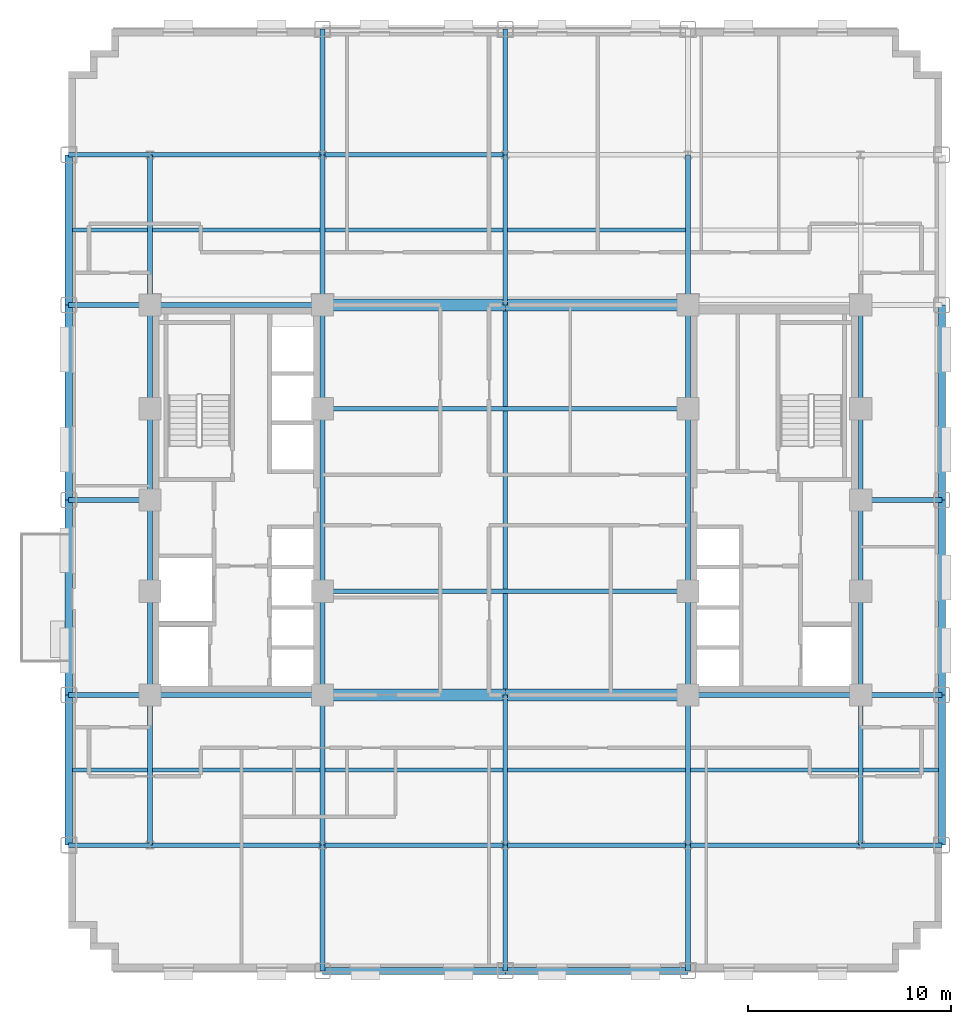
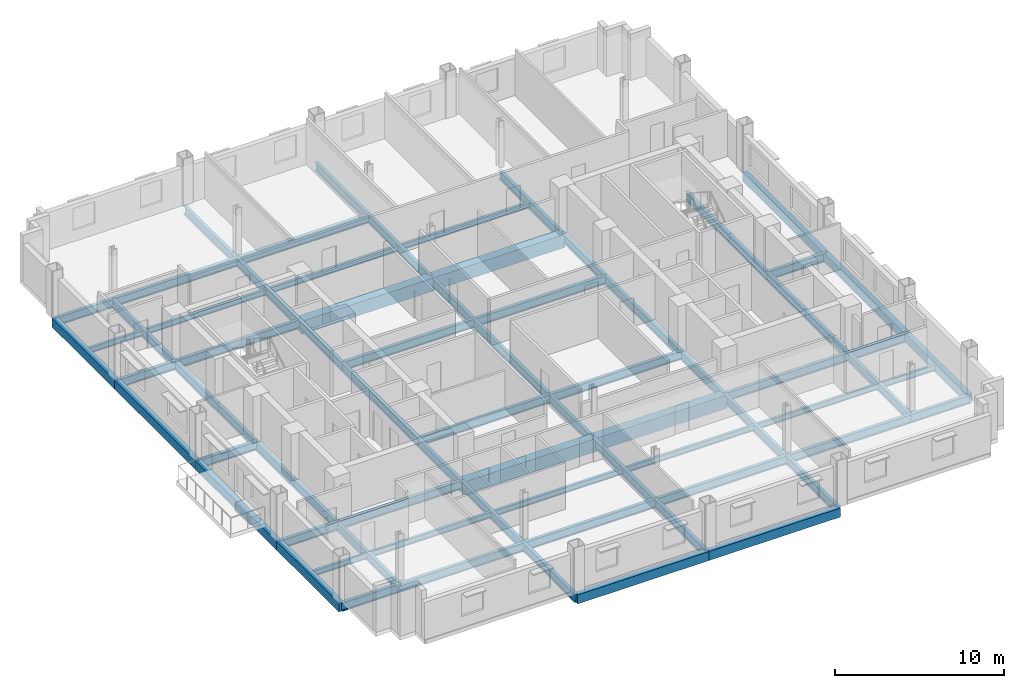
# One storey, part 4 of 13: 71 beams.
"""IFC4 building model written with IfcOpenShell, lengths in metres."""

from ifc_helpers import new_model, si_unit, direction, frame, origin, origin_2d, place, context, subcontext, project, spatial, rectangle, i_section, extrude, material, material_profile, profile_set, type_object, element, save


model = new_model("IFC4")

# Units and contexts
model_context = context("Model", 3, precision=1e-05, world=origin(), true_north=direction((0.0, 1.0)))
body_context = subcontext(model_context, "Body", "Model", "MODEL_VIEW")
ifc_project = project(units=[si_unit("LENGTHUNIT", "METRE"), si_unit("AREAUNIT", "SQUARE_METRE"), si_unit("VOLUMEUNIT", "CUBIC_METRE"), si_unit("PLANEANGLEUNIT", "RADIAN"), si_unit("MASSUNIT", "GRAM", prefix="KILO")], contexts=[model_context])

# Site, building, storey
site_placement = place(None, origin())
site = spatial("IfcSite", under=ifc_project, at=site_placement, CompositionType="ELEMENT")
building_placement = place(site_placement, origin())
building = spatial("IfcBuilding", under=site, at=building_placement, Name="Nuvemarco Arch Tower", CompositionType="ELEMENT")
storey_placement = place(building_placement, frame((0.0, 0.0, 78.699951171875)))
storey = spatial("IfcBuildingStorey", under=building, at=storey_placement, Name="L20", CompositionType="ELEMENT", Elevation=78.699951171875)

# Beams
ifc_material_1 = material(Name="Concrete C60/75", Category="concrete")
ifc_material_profile_1 = material_profile(ifc_material_1, rectangle(XDim=0.60009765625, YDim=0.949951171875, at=origin_2d()), Name="RC-BM-600x950")
ifc_profile_set_1 = profile_set([ifc_material_profile_1], Name="Concrete C60/75")
beam_type_1 = type_object("IfcBeamType", Name="BM-COUP-RC", PredefinedType="LINTEL", material=ifc_profile_set_1)
for number, where, z_axis, x_axis, name in (
    (1, (-9.0, -9.60009765625, -0.7548828125), (1.0, 0.0, 0.0), (0.0, 1.0, 0.0), "L20 structural beam BGEW_L20_0_-9.6_-9.0"),
    (2, (0.0, -9.60009765625, -0.7548828125), (1.0, 0.0, 0.0), (0.0, 1.0, 0.0), "L20 structural beam BGEW_L20_0_-9.6_+0.0"),
    (3, (-9.0, 9.60009765625, -0.7548828125), (1.0, 0.0, 0.0), (0.0, 1.0, 0.0), "L20 structural beam BGEW_L20_0_+9.6_-9.0"),
    (4, (0.0, 9.60009765625, -0.7548828125), (1.0, 0.0, 0.0), (0.0, 1.0, 0.0), "L20 structural beam BGEW_L20_0_+9.6_+0.0"),
):
    element("IfcBeam", number, at=place(storey_placement, frame(where, z_axis=z_axis, x_axis=x_axis)), inside=storey, type_object=beam_type_1, Name=name, PredefinedType="LINTEL", context=body_context, shape_type="SweptSolid", body=[
        extrude(rectangle(XDim=0.60009765625, YDim=0.949951171875, at=origin_2d()), origin(), (0.0, 0.0, 1.0), 9.0),
    ])
ifc_material_2 = material(Name="Steel S355", Category="steel")
ifc_material_profile_2 = material_profile(ifc_material_2, i_section(OverallWidth=0.22998046875, OverallDepth=0.616943359375, WebThickness=0.01318359375, FlangeThickness=0.022216796875, FilletRadius=0.01611328125, at=origin_2d()), Name="W610x140")
ifc_profile_set_2 = profile_set([ifc_material_profile_2], Name="Steel S355")
beam_type_2 = type_object("IfcBeamType", Name="BM-GIRD-610", PredefinedType="BEAM", material=ifc_profile_set_2)
beam_1_placement = place(storey_placement, frame((-17.5, -17.0, -0.58837890625), z_axis=(0.0, 1.0, 0.0), x_axis=(-1.0, 0.0, 0.0)))
element("IfcBeam", 5, at=beam_1_placement, inside=storey, type_object=beam_type_2, Name="L20 structural beam BGNS_L20_0_-17.5_-17.0", PredefinedType="BEAM", context=body_context, shape_type="SweptSolid", body=[
    extrude(i_section(OverallWidth=0.22998046875, OverallDepth=0.616943359375, WebThickness=0.01318359375, FlangeThickness=0.022216796875, FilletRadius=0.01611328125, at=origin_2d()), origin(), (0.0, 0.0, 1.0), 7.39990234375),
])
beam_2_placement = place(storey_placement, frame((-17.5, -9.60009765625, -0.58837890625), z_axis=(0.0, 1.0, 0.0), x_axis=(-1.0, 0.0, 0.0)))
element("IfcBeam", 6, at=beam_2_placement, inside=storey, type_object=beam_type_2, Name="L20 structural beam BGNS_L20_0_-17.5_-9.6", PredefinedType="BEAM", context=body_context, shape_type="SweptSolid", body=[
    extrude(i_section(OverallWidth=0.22998046875, OverallDepth=0.616943359375, WebThickness=0.01318359375, FlangeThickness=0.022216796875, FilletRadius=0.01611328125, at=origin_2d()), origin(), (0.0, 0.0, 1.0), 5.10009765625),
])
for number, where, z_axis, x_axis, name in (
    (7, (-17.5, -4.5, -0.58837890625), (0.0, 1.0, 0.0), (-1.0, 0.0, 0.0), "L20 structural beam BGNS_L20_0_-17.5_-4.5"),
    (8, (-17.5, 0.0, -0.58837890625), (0.0, 1.0, 0.0), (-1.0, 0.0, 0.0), "L20 structural beam BGNS_L20_0_-17.5_+0.0"),
):
    element("IfcBeam", number, at=place(storey_placement, frame(where, z_axis=z_axis, x_axis=x_axis)), inside=storey, type_object=beam_type_2, Name=name, PredefinedType="BEAM", context=body_context, shape_type="SweptSolid", body=[
        extrude(i_section(OverallWidth=0.22998046875, OverallDepth=0.616943359375, WebThickness=0.01318359375, FlangeThickness=0.022216796875, FilletRadius=0.01611328125, at=origin_2d()), origin(), (0.0, 0.0, 1.0), 4.5),
    ])
beam_3_placement = place(storey_placement, frame((-17.5, 4.5, -0.58837890625), z_axis=(0.0, 1.0, 0.0), x_axis=(-1.0, 0.0, 0.0)))
element("IfcBeam", 9, at=beam_3_placement, inside=storey, type_object=beam_type_2, Name="L20 structural beam BGNS_L20_0_-17.5_+4.5", PredefinedType="BEAM", context=body_context, shape_type="SweptSolid", body=[
    extrude(i_section(OverallWidth=0.22998046875, OverallDepth=0.616943359375, WebThickness=0.01318359375, FlangeThickness=0.022216796875, FilletRadius=0.01611328125, at=origin_2d()), origin(), (0.0, 0.0, 1.0), 5.10009765625),
])
beam_4_placement = place(storey_placement, frame((-17.5, 9.60009765625, -0.58837890625), z_axis=(0.0, 1.0, 0.0), x_axis=(-1.0, 0.0, 0.0)))
element("IfcBeam", 10, at=beam_4_placement, inside=storey, type_object=beam_type_2, Name="L20 structural beam BGNS_L20_0_-17.5_+9.6", PredefinedType="BEAM", context=body_context, shape_type="SweptSolid", body=[
    extrude(i_section(OverallWidth=0.22998046875, OverallDepth=0.616943359375, WebThickness=0.01318359375, FlangeThickness=0.022216796875, FilletRadius=0.01611328125, at=origin_2d()), origin(), (0.0, 0.0, 1.0), 7.39990234375),
])
beam_5_placement = place(storey_placement, frame((-9.0, -23.199951171875, -0.58837890625), z_axis=(0.0, 1.0, 0.0), x_axis=(-1.0, 0.0, 0.0)))
element("IfcBeam", 11, at=beam_5_placement, inside=storey, type_object=beam_type_2, Name="L20 structural beam BGNS_L20_0_-9.0_-23.2", PredefinedType="BEAM", context=body_context, shape_type="SweptSolid", body=[
    extrude(i_section(OverallWidth=0.22998046875, OverallDepth=0.616943359375, WebThickness=0.01318359375, FlangeThickness=0.022216796875, FilletRadius=0.01611328125, at=origin_2d()), origin(), (0.0, 0.0, 1.0), 6.199951171875),
])
beam_6_placement = place(storey_placement, frame((-9.0, -17.0, -0.58837890625), z_axis=(0.0, 1.0, 0.0), x_axis=(-1.0, 0.0, 0.0)))
element("IfcBeam", 12, at=beam_6_placement, inside=storey, type_object=beam_type_2, Name="L20 structural beam BGNS_L20_0_-9.0_-17.0", PredefinedType="BEAM", context=body_context, shape_type="SweptSolid", body=[
    extrude(i_section(OverallWidth=0.22998046875, OverallDepth=0.616943359375, WebThickness=0.01318359375, FlangeThickness=0.022216796875, FilletRadius=0.01611328125, at=origin_2d()), origin(), (0.0, 0.0, 1.0), 7.39990234375),
])
beam_7_placement = place(storey_placement, frame((-9.0, -9.60009765625, -0.58837890625), z_axis=(0.0, 1.0, 0.0), x_axis=(-1.0, 0.0, 0.0)))
element("IfcBeam", 13, at=beam_7_placement, inside=storey, type_object=beam_type_2, Name="L20 structural beam BGNS_L20_0_-9.0_-9.6", PredefinedType="BEAM", context=body_context, shape_type="SweptSolid", body=[
    extrude(i_section(OverallWidth=0.22998046875, OverallDepth=0.616943359375, WebThickness=0.01318359375, FlangeThickness=0.022216796875, FilletRadius=0.01611328125, at=origin_2d()), origin(), (0.0, 0.0, 1.0), 5.10009765625),
])
beam_8_placement = place(storey_placement, frame((-9.0, -4.5, -0.58837890625), z_axis=(0.0, 1.0, 0.0), x_axis=(-1.0, 0.0, 0.0)))
element("IfcBeam", 14, at=beam_8_placement, inside=storey, type_object=beam_type_2, Name="L20 structural beam BGNS_L20_0_-9.0_-4.5", PredefinedType="BEAM", context=body_context, shape_type="SweptSolid", body=[
    extrude(i_section(OverallWidth=0.22998046875, OverallDepth=0.616943359375, WebThickness=0.01318359375, FlangeThickness=0.022216796875, FilletRadius=0.01611328125, at=origin_2d()), origin(), (0.0, 0.0, 1.0), 9.0),
])
beam_9_placement = place(storey_placement, frame((-9.0, 4.5, -0.58837890625), z_axis=(0.0, 1.0, 0.0), x_axis=(-1.0, 0.0, 0.0)))
element("IfcBeam", 15, at=beam_9_placement, inside=storey, type_object=beam_type_2, Name="L20 structural beam BGNS_L20_0_-9.0_+4.5", PredefinedType="BEAM", context=body_context, shape_type="SweptSolid", body=[
    extrude(i_section(OverallWidth=0.22998046875, OverallDepth=0.616943359375, WebThickness=0.01318359375, FlangeThickness=0.022216796875, FilletRadius=0.01611328125, at=origin_2d()), origin(), (0.0, 0.0, 1.0), 5.10009765625),
])
beam_10_placement = place(storey_placement, frame((-9.0, 9.60009765625, -0.58837890625), z_axis=(0.0, 1.0, 0.0), x_axis=(-1.0, 0.0, 0.0)))
element("IfcBeam", 16, at=beam_10_placement, inside=storey, type_object=beam_type_2, Name="L20 structural beam BGNS_L20_0_-9.0_+9.6", PredefinedType="BEAM", context=body_context, shape_type="SweptSolid", body=[
    extrude(i_section(OverallWidth=0.22998046875, OverallDepth=0.616943359375, WebThickness=0.01318359375, FlangeThickness=0.022216796875, FilletRadius=0.01611328125, at=origin_2d()), origin(), (0.0, 0.0, 1.0), 7.39990234375),
])
for number, where, z_axis, x_axis, name in (
    (17, (-9.0, 17.0, -0.58837890625), (0.0, 1.0, 0.0), (-1.0, 0.0, 0.0), "L20 structural beam BGNS_L20_0_-9.0_+17.0"),
    (18, (0.0, -23.199951171875, -0.58837890625), (0.0, 1.0, 0.0), (-1.0, 0.0, 0.0), "L20 structural beam BGNS_L20_0_+0.0_-23.2"),
):
    element("IfcBeam", number, at=place(storey_placement, frame(where, z_axis=z_axis, x_axis=x_axis)), inside=storey, type_object=beam_type_2, Name=name, PredefinedType="BEAM", context=body_context, shape_type="SweptSolid", body=[
        extrude(i_section(OverallWidth=0.22998046875, OverallDepth=0.616943359375, WebThickness=0.01318359375, FlangeThickness=0.022216796875, FilletRadius=0.01611328125, at=origin_2d()), origin(), (0.0, 0.0, 1.0), 6.199951171875),
    ])
beam_11_placement = place(storey_placement, frame((0.0, -17.0, -0.58837890625), z_axis=(0.0, 1.0, 0.0), x_axis=(-1.0, 0.0, 0.0)))
element("IfcBeam", 19, at=beam_11_placement, inside=storey, type_object=beam_type_2, Name="L20 structural beam BGNS_L20_0_+0.0_-17.0", PredefinedType="BEAM", context=body_context, shape_type="SweptSolid", body=[
    extrude(i_section(OverallWidth=0.22998046875, OverallDepth=0.616943359375, WebThickness=0.01318359375, FlangeThickness=0.022216796875, FilletRadius=0.01611328125, at=origin_2d()), origin(), (0.0, 0.0, 1.0), 7.39990234375),
])
beam_12_placement = place(storey_placement, frame((0.0, -9.60009765625, -0.58837890625), z_axis=(0.0, 1.0, 0.0), x_axis=(-1.0, 0.0, 0.0)))
element("IfcBeam", 20, at=beam_12_placement, inside=storey, type_object=beam_type_2, Name="L20 structural beam BGNS_L20_0_+0.0_-9.6", PredefinedType="BEAM", context=body_context, shape_type="SweptSolid", body=[
    extrude(i_section(OverallWidth=0.22998046875, OverallDepth=0.616943359375, WebThickness=0.01318359375, FlangeThickness=0.022216796875, FilletRadius=0.01611328125, at=origin_2d()), origin(), (0.0, 0.0, 1.0), 19.2001953125),
])
beam_13_placement = place(storey_placement, frame((0.0, 9.60009765625, -0.58837890625), z_axis=(0.0, 1.0, 0.0), x_axis=(-1.0, 0.0, 0.0)))
element("IfcBeam", 21, at=beam_13_placement, inside=storey, type_object=beam_type_2, Name="L20 structural beam BGNS_L20_0_+0.0_+9.6", PredefinedType="BEAM", context=body_context, shape_type="SweptSolid", body=[
    extrude(i_section(OverallWidth=0.22998046875, OverallDepth=0.616943359375, WebThickness=0.01318359375, FlangeThickness=0.022216796875, FilletRadius=0.01611328125, at=origin_2d()), origin(), (0.0, 0.0, 1.0), 7.39990234375),
])
for number, where, z_axis, x_axis, name in (
    (22, (0.0, 17.0, -0.58837890625), (0.0, 1.0, 0.0), (-1.0, 0.0, 0.0), "L20 structural beam BGNS_L20_0_+0.0_+17.0"),
    (23, (9.0, -23.199951171875, -0.58837890625), (0.0, 1.0, 0.0), (-1.0, 0.0, 0.0), "L20 structural beam BGNS_L20_0_+9.0_-23.2"),
):
    element("IfcBeam", number, at=place(storey_placement, frame(where, z_axis=z_axis, x_axis=x_axis)), inside=storey, type_object=beam_type_2, Name=name, PredefinedType="BEAM", context=body_context, shape_type="SweptSolid", body=[
        extrude(i_section(OverallWidth=0.22998046875, OverallDepth=0.616943359375, WebThickness=0.01318359375, FlangeThickness=0.022216796875, FilletRadius=0.01611328125, at=origin_2d()), origin(), (0.0, 0.0, 1.0), 6.199951171875),
    ])
beam_14_placement = place(storey_placement, frame((9.0, -17.0, -0.58837890625), z_axis=(0.0, 1.0, 0.0), x_axis=(-1.0, 0.0, 0.0)))
element("IfcBeam", 24, at=beam_14_placement, inside=storey, type_object=beam_type_2, Name="L20 structural beam BGNS_L20_0_+9.0_-17.0", PredefinedType="BEAM", context=body_context, shape_type="SweptSolid", body=[
    extrude(i_section(OverallWidth=0.22998046875, OverallDepth=0.616943359375, WebThickness=0.01318359375, FlangeThickness=0.022216796875, FilletRadius=0.01611328125, at=origin_2d()), origin(), (0.0, 0.0, 1.0), 7.39990234375),
])
beam_15_placement = place(storey_placement, frame((9.0, -9.60009765625, -0.58837890625), z_axis=(0.0, 1.0, 0.0), x_axis=(-1.0, 0.0, 0.0)))
element("IfcBeam", 25, at=beam_15_placement, inside=storey, type_object=beam_type_2, Name="L20 structural beam BGNS_L20_0_+9.0_-9.6", PredefinedType="BEAM", context=body_context, shape_type="SweptSolid", body=[
    extrude(i_section(OverallWidth=0.22998046875, OverallDepth=0.616943359375, WebThickness=0.01318359375, FlangeThickness=0.022216796875, FilletRadius=0.01611328125, at=origin_2d()), origin(), (0.0, 0.0, 1.0), 5.10009765625),
])
beam_16_placement = place(storey_placement, frame((9.0, -4.5, -0.58837890625), z_axis=(0.0, 1.0, 0.0), x_axis=(-1.0, 0.0, 0.0)))
element("IfcBeam", 26, at=beam_16_placement, inside=storey, type_object=beam_type_2, Name="L20 structural beam BGNS_L20_0_+9.0_-4.5", PredefinedType="BEAM", context=body_context, shape_type="SweptSolid", body=[
    extrude(i_section(OverallWidth=0.22998046875, OverallDepth=0.616943359375, WebThickness=0.01318359375, FlangeThickness=0.022216796875, FilletRadius=0.01611328125, at=origin_2d()), origin(), (0.0, 0.0, 1.0), 9.0),
])
beam_17_placement = place(storey_placement, frame((9.0, 4.5, -0.58837890625), z_axis=(0.0, 1.0, 0.0), x_axis=(-1.0, 0.0, 0.0)))
element("IfcBeam", 27, at=beam_17_placement, inside=storey, type_object=beam_type_2, Name="L20 structural beam BGNS_L20_0_+9.0_+4.5", PredefinedType="BEAM", context=body_context, shape_type="SweptSolid", body=[
    extrude(i_section(OverallWidth=0.22998046875, OverallDepth=0.616943359375, WebThickness=0.01318359375, FlangeThickness=0.022216796875, FilletRadius=0.01611328125, at=origin_2d()), origin(), (0.0, 0.0, 1.0), 5.10009765625),
])
for number, where, z_axis, x_axis, name in (
    (28, (9.0, 9.60009765625, -0.58837890625), (0.0, 1.0, 0.0), (-1.0, 0.0, 0.0), "L20 structural beam BGNS_L20_0_+9.0_+9.6"),
    (29, (17.5, -17.0, -0.58837890625), (0.0, 1.0, 0.0), (-1.0, 0.0, 0.0), "L20 structural beam BGNS_L20_0_+17.5_-17.0"),
):
    element("IfcBeam", number, at=place(storey_placement, frame(where, z_axis=z_axis, x_axis=x_axis)), inside=storey, type_object=beam_type_2, Name=name, PredefinedType="BEAM", context=body_context, shape_type="SweptSolid", body=[
        extrude(i_section(OverallWidth=0.22998046875, OverallDepth=0.616943359375, WebThickness=0.01318359375, FlangeThickness=0.022216796875, FilletRadius=0.01611328125, at=origin_2d()), origin(), (0.0, 0.0, 1.0), 7.39990234375),
    ])
beam_18_placement = place(storey_placement, frame((17.5, -9.60009765625, -0.58837890625), z_axis=(0.0, 1.0, 0.0), x_axis=(-1.0, 0.0, 0.0)))
element("IfcBeam", 30, at=beam_18_placement, inside=storey, type_object=beam_type_2, Name="L20 structural beam BGNS_L20_0_+17.5_-9.6", PredefinedType="BEAM", context=body_context, shape_type="SweptSolid", body=[
    extrude(i_section(OverallWidth=0.22998046875, OverallDepth=0.616943359375, WebThickness=0.01318359375, FlangeThickness=0.022216796875, FilletRadius=0.01611328125, at=origin_2d()), origin(), (0.0, 0.0, 1.0), 5.10009765625),
])
for number, where, z_axis, x_axis, name in (
    (31, (17.5, -4.5, -0.58837890625), (0.0, 1.0, 0.0), (-1.0, 0.0, 0.0), "L20 structural beam BGNS_L20_0_+17.5_-4.5"),
    (32, (17.5, 0.0, -0.58837890625), (0.0, 1.0, 0.0), (-1.0, 0.0, 0.0), "L20 structural beam BGNS_L20_0_+17.5_+0.0"),
):
    element("IfcBeam", number, at=place(storey_placement, frame(where, z_axis=z_axis, x_axis=x_axis)), inside=storey, type_object=beam_type_2, Name=name, PredefinedType="BEAM", context=body_context, shape_type="SweptSolid", body=[
        extrude(i_section(OverallWidth=0.22998046875, OverallDepth=0.616943359375, WebThickness=0.01318359375, FlangeThickness=0.022216796875, FilletRadius=0.01611328125, at=origin_2d()), origin(), (0.0, 0.0, 1.0), 4.5),
    ])
beam_19_placement = place(storey_placement, frame((17.5, 4.5, -0.58837890625), z_axis=(0.0, 1.0, 0.0), x_axis=(-1.0, 0.0, 0.0)))
element("IfcBeam", 33, at=beam_19_placement, inside=storey, type_object=beam_type_2, Name="L20 structural beam BGNS_L20_0_+17.5_+4.5", PredefinedType="BEAM", context=body_context, shape_type="SweptSolid", body=[
    extrude(i_section(OverallWidth=0.22998046875, OverallDepth=0.616943359375, WebThickness=0.01318359375, FlangeThickness=0.022216796875, FilletRadius=0.01611328125, at=origin_2d()), origin(), (0.0, 0.0, 1.0), 5.10009765625),
])
beam_20_placement = place(storey_placement, frame((-21.5, -17.0, -0.58837890625), z_axis=(1.0, 0.0, 0.0), x_axis=(0.0, 1.0, 0.0)))
element("IfcBeam", 34, at=beam_20_placement, inside=storey, type_object=beam_type_2, Name="L20 structural beam BGEW_L20_0_-17.0_-21.5", PredefinedType="BEAM", context=body_context, shape_type="SweptSolid", body=[
    extrude(i_section(OverallWidth=0.22998046875, OverallDepth=0.616943359375, WebThickness=0.01318359375, FlangeThickness=0.022216796875, FilletRadius=0.01611328125, at=origin_2d()), origin(), (0.0, 0.0, 1.0), 4.0),
])
beam_21_placement = place(storey_placement, frame((-17.5, -17.0, -0.58837890625), z_axis=(1.0, 0.0, 0.0), x_axis=(0.0, 1.0, 0.0)))
element("IfcBeam", 35, at=beam_21_placement, inside=storey, type_object=beam_type_2, Name="L20 structural beam BGEW_L20_0_-17.0_-17.5", PredefinedType="BEAM", context=body_context, shape_type="SweptSolid", body=[
    extrude(i_section(OverallWidth=0.22998046875, OverallDepth=0.616943359375, WebThickness=0.01318359375, FlangeThickness=0.022216796875, FilletRadius=0.01611328125, at=origin_2d()), origin(), (0.0, 0.0, 1.0), 8.5),
])
for number, where, z_axis, x_axis, name in (
    (36, (-9.0, -17.0, -0.58837890625), (1.0, 0.0, 0.0), (0.0, 1.0, 0.0), "L20 structural beam BGEW_L20_0_-17.0_-9.0"),
    (37, (0.0, -17.0, -0.58837890625), (1.0, 0.0, 0.0), (0.0, 1.0, 0.0), "L20 structural beam BGEW_L20_0_-17.0_+0.0"),
):
    element("IfcBeam", number, at=place(storey_placement, frame(where, z_axis=z_axis, x_axis=x_axis)), inside=storey, type_object=beam_type_2, Name=name, PredefinedType="BEAM", context=body_context, shape_type="SweptSolid", body=[
        extrude(i_section(OverallWidth=0.22998046875, OverallDepth=0.616943359375, WebThickness=0.01318359375, FlangeThickness=0.022216796875, FilletRadius=0.01611328125, at=origin_2d()), origin(), (0.0, 0.0, 1.0), 9.0),
    ])
beam_22_placement = place(storey_placement, frame((9.0, -17.0, -0.58837890625), z_axis=(1.0, 0.0, 0.0), x_axis=(0.0, 1.0, 0.0)))
element("IfcBeam", 38, at=beam_22_placement, inside=storey, type_object=beam_type_2, Name="L20 structural beam BGEW_L20_0_-17.0_+9.0", PredefinedType="BEAM", context=body_context, shape_type="SweptSolid", body=[
    extrude(i_section(OverallWidth=0.22998046875, OverallDepth=0.616943359375, WebThickness=0.01318359375, FlangeThickness=0.022216796875, FilletRadius=0.01611328125, at=origin_2d()), origin(), (0.0, 0.0, 1.0), 8.5),
])
for number, where, z_axis, x_axis, name in (
    (39, (17.5, -17.0, -0.58837890625), (1.0, 0.0, 0.0), (0.0, 1.0, 0.0), "L20 structural beam BGEW_L20_0_-17.0_+17.5"),
    (40, (-21.5, -9.60009765625, -0.58837890625), (1.0, 0.0, 0.0), (0.0, 1.0, 0.0), "L20 structural beam BGEW_L20_0_-9.6_-21.5"),
):
    element("IfcBeam", number, at=place(storey_placement, frame(where, z_axis=z_axis, x_axis=x_axis)), inside=storey, type_object=beam_type_2, Name=name, PredefinedType="BEAM", context=body_context, shape_type="SweptSolid", body=[
        extrude(i_section(OverallWidth=0.22998046875, OverallDepth=0.616943359375, WebThickness=0.01318359375, FlangeThickness=0.022216796875, FilletRadius=0.01611328125, at=origin_2d()), origin(), (0.0, 0.0, 1.0), 4.0),
    ])
for number, where, z_axis, x_axis, name in (
    (41, (-17.5, -9.60009765625, -0.58837890625), (1.0, 0.0, 0.0), (0.0, 1.0, 0.0), "L20 structural beam BGEW_L20_0_-9.6_-17.5"),
    (42, (9.0, -9.60009765625, -0.58837890625), (1.0, 0.0, 0.0), (0.0, 1.0, 0.0), "L20 structural beam BGEW_L20_0_-9.6_+9.0"),
):
    element("IfcBeam", number, at=place(storey_placement, frame(where, z_axis=z_axis, x_axis=x_axis)), inside=storey, type_object=beam_type_2, Name=name, PredefinedType="BEAM", context=body_context, shape_type="SweptSolid", body=[
        extrude(i_section(OverallWidth=0.22998046875, OverallDepth=0.616943359375, WebThickness=0.01318359375, FlangeThickness=0.022216796875, FilletRadius=0.01611328125, at=origin_2d()), origin(), (0.0, 0.0, 1.0), 8.5),
    ])
beam_23_placement = place(storey_placement, frame((17.5, -9.60009765625, -0.58837890625), z_axis=(1.0, 0.0, 0.0), x_axis=(0.0, 1.0, 0.0)))
element("IfcBeam", 43, at=beam_23_placement, inside=storey, type_object=beam_type_2, Name="L20 structural beam BGEW_L20_0_-9.6_+17.5", PredefinedType="BEAM", context=body_context, shape_type="SweptSolid", body=[
    extrude(i_section(OverallWidth=0.22998046875, OverallDepth=0.616943359375, WebThickness=0.01318359375, FlangeThickness=0.022216796875, FilletRadius=0.01611328125, at=origin_2d()), origin(), (0.0, 0.0, 1.0), 4.0),
])
beam_24_placement = place(storey_placement, frame((-9.0, -4.5, -0.58837890625), z_axis=(1.0, 0.0, 0.0), x_axis=(0.0, 1.0, 0.0)))
element("IfcBeam", 44, at=beam_24_placement, inside=storey, type_object=beam_type_2, Name="L20 structural beam BGEW_L20_0_-4.5_-9.0", PredefinedType="BEAM", context=body_context, shape_type="SweptSolid", body=[
    extrude(i_section(OverallWidth=0.22998046875, OverallDepth=0.616943359375, WebThickness=0.01318359375, FlangeThickness=0.022216796875, FilletRadius=0.01611328125, at=origin_2d()), origin(), (0.0, 0.0, 1.0), 18.0),
])
for number, where, z_axis, x_axis, name in (
    (45, (-21.5, 0.0, -0.58837890625), (1.0, 0.0, 0.0), (0.0, 1.0, 0.0), "L20 structural beam BGEW_L20_0_+0.0_-21.5"),
    (46, (17.5, 0.0, -0.58837890625), (1.0, 0.0, 0.0), (0.0, 1.0, 0.0), "L20 structural beam BGEW_L20_0_+0.0_+17.5"),
):
    element("IfcBeam", number, at=place(storey_placement, frame(where, z_axis=z_axis, x_axis=x_axis)), inside=storey, type_object=beam_type_2, Name=name, PredefinedType="BEAM", context=body_context, shape_type="SweptSolid", body=[
        extrude(i_section(OverallWidth=0.22998046875, OverallDepth=0.616943359375, WebThickness=0.01318359375, FlangeThickness=0.022216796875, FilletRadius=0.01611328125, at=origin_2d()), origin(), (0.0, 0.0, 1.0), 4.0),
    ])
beam_25_placement = place(storey_placement, frame((-9.0, 4.5, -0.58837890625), z_axis=(1.0, 0.0, 0.0), x_axis=(0.0, 1.0, 0.0)))
element("IfcBeam", 47, at=beam_25_placement, inside=storey, type_object=beam_type_2, Name="L20 structural beam BGEW_L20_0_+4.5_-9.0", PredefinedType="BEAM", context=body_context, shape_type="SweptSolid", body=[
    extrude(i_section(OverallWidth=0.22998046875, OverallDepth=0.616943359375, WebThickness=0.01318359375, FlangeThickness=0.022216796875, FilletRadius=0.01611328125, at=origin_2d()), origin(), (0.0, 0.0, 1.0), 18.0),
])
beam_26_placement = place(storey_placement, frame((-21.5, 9.60009765625, -0.58837890625), z_axis=(1.0, 0.0, 0.0), x_axis=(0.0, 1.0, 0.0)))
element("IfcBeam", 48, at=beam_26_placement, inside=storey, type_object=beam_type_2, Name="L20 structural beam BGEW_L20_0_+9.6_-21.5", PredefinedType="BEAM", context=body_context, shape_type="SweptSolid", body=[
    extrude(i_section(OverallWidth=0.22998046875, OverallDepth=0.616943359375, WebThickness=0.01318359375, FlangeThickness=0.022216796875, FilletRadius=0.01611328125, at=origin_2d()), origin(), (0.0, 0.0, 1.0), 4.0),
])
beam_27_placement = place(storey_placement, frame((-17.5, 9.60009765625, -0.58837890625), z_axis=(1.0, 0.0, 0.0), x_axis=(0.0, 1.0, 0.0)))
element("IfcBeam", 49, at=beam_27_placement, inside=storey, type_object=beam_type_2, Name="L20 structural beam BGEW_L20_0_+9.6_-17.5", PredefinedType="BEAM", context=body_context, shape_type="SweptSolid", body=[
    extrude(i_section(OverallWidth=0.22998046875, OverallDepth=0.616943359375, WebThickness=0.01318359375, FlangeThickness=0.022216796875, FilletRadius=0.01611328125, at=origin_2d()), origin(), (0.0, 0.0, 1.0), 8.5),
])
beam_28_placement = place(storey_placement, frame((-21.5, 17.0, -0.58837890625), z_axis=(1.0, 0.0, 0.0), x_axis=(0.0, 1.0, 0.0)))
element("IfcBeam", 50, at=beam_28_placement, inside=storey, type_object=beam_type_2, Name="L20 structural beam BGEW_L20_0_+17.0_-21.5", PredefinedType="BEAM", context=body_context, shape_type="SweptSolid", body=[
    extrude(i_section(OverallWidth=0.22998046875, OverallDepth=0.616943359375, WebThickness=0.01318359375, FlangeThickness=0.022216796875, FilletRadius=0.01611328125, at=origin_2d()), origin(), (0.0, 0.0, 1.0), 4.0),
])
beam_29_placement = place(storey_placement, frame((-17.5, 17.0, -0.58837890625), z_axis=(1.0, 0.0, 0.0), x_axis=(0.0, 1.0, 0.0)))
element("IfcBeam", 51, at=beam_29_placement, inside=storey, type_object=beam_type_2, Name="L20 structural beam BGEW_L20_0_+17.0_-17.5", PredefinedType="BEAM", context=body_context, shape_type="SweptSolid", body=[
    extrude(i_section(OverallWidth=0.22998046875, OverallDepth=0.616943359375, WebThickness=0.01318359375, FlangeThickness=0.022216796875, FilletRadius=0.01611328125, at=origin_2d()), origin(), (0.0, 0.0, 1.0), 8.5),
])
beam_30_placement = place(storey_placement, frame((-9.0, 17.0, -0.58837890625), z_axis=(1.0, 0.0, 0.0), x_axis=(0.0, 1.0, 0.0)))
element("IfcBeam", 52, at=beam_30_placement, inside=storey, type_object=beam_type_2, Name="L20 structural beam BGEW_L20_0_+17.0_-9.0", PredefinedType="BEAM", context=body_context, shape_type="SweptSolid", body=[
    extrude(i_section(OverallWidth=0.22998046875, OverallDepth=0.616943359375, WebThickness=0.01318359375, FlangeThickness=0.022216796875, FilletRadius=0.01611328125, at=origin_2d()), origin(), (0.0, 0.0, 1.0), 9.0),
])
ifc_material_profile_3 = material_profile(ifc_material_2, i_section(OverallWidth=0.179931640625, OverallDepth=0.4130859375, WebThickness=0.009765625, FlangeThickness=0.01611328125, FilletRadius=0.014892578125, at=origin_2d()), Name="W410x75")
ifc_profile_set_3 = profile_set([ifc_material_profile_3], Name="Steel S355")
beam_type_3 = type_object("IfcBeamType", Name="BM-JOIST-410", PredefinedType="JOIST", material=ifc_profile_set_3)
beam_31_placement = place(storey_placement, frame((-21.324951171875, -13.300048828125, -0.486572265625), z_axis=(1.0, 0.0, 0.0), x_axis=(0.0, 1.0, 0.0)))
element("IfcBeam", 53, at=beam_31_placement, inside=storey, type_object=beam_type_3, Name="L20 structural beam BJ_L20_0_-13.3_-21.5", PredefinedType="JOIST", context=body_context, shape_type="SweptSolid", body=[
    extrude(i_section(OverallWidth=0.179931640625, OverallDepth=0.4130859375, WebThickness=0.009765625, FlangeThickness=0.01611328125, FilletRadius=0.014892578125, at=origin_2d()), origin(), (0.0, 0.0, 1.0), 3.7099609375),
])
beam_32_placement = place(storey_placement, frame((-17.385009765625, -13.300048828125, -0.486572265625), z_axis=(1.0, 0.0, 0.0), x_axis=(0.0, 1.0, 0.0)))
element("IfcBeam", 54, at=beam_32_placement, inside=storey, type_object=beam_type_3, Name="L20 structural beam BJ_L20_0_-13.3_-17.5", PredefinedType="JOIST", context=body_context, shape_type="SweptSolid", body=[
    extrude(i_section(OverallWidth=0.179931640625, OverallDepth=0.4130859375, WebThickness=0.009765625, FlangeThickness=0.01611328125, FilletRadius=0.014892578125, at=origin_2d()), origin(), (0.0, 0.0, 1.0), 8.27001953125),
])
for number, where, z_axis, x_axis, name in (
    (55, (-8.885009765625, -13.300048828125, -0.486572265625), (1.0, 0.0, 0.0), (0.0, 1.0, 0.0), "L20 structural beam BJ_L20_0_-13.3_-9.0"),
    (56, (0.114990234375, -13.300048828125, -0.486572265625), (1.0, 0.0, 0.0), (0.0, 1.0, 0.0), "L20 structural beam BJ_L20_0_-13.3_+0.0"),
):
    element("IfcBeam", number, at=place(storey_placement, frame(where, z_axis=z_axis, x_axis=x_axis)), inside=storey, type_object=beam_type_3, Name=name, PredefinedType="JOIST", context=body_context, shape_type="SweptSolid", body=[
        extrude(i_section(OverallWidth=0.179931640625, OverallDepth=0.4130859375, WebThickness=0.009765625, FlangeThickness=0.01611328125, FilletRadius=0.014892578125, at=origin_2d()), origin(), (0.0, 0.0, 1.0), 8.77001953125),
    ])
beam_33_placement = place(storey_placement, frame((9.114990234375, -13.300048828125, -0.486572265625), z_axis=(1.0, 0.0, 0.0), x_axis=(0.0, 1.0, 0.0)))
element("IfcBeam", 57, at=beam_33_placement, inside=storey, type_object=beam_type_3, Name="L20 structural beam BJ_L20_0_-13.3_+9.0", PredefinedType="JOIST", context=body_context, shape_type="SweptSolid", body=[
    extrude(i_section(OverallWidth=0.179931640625, OverallDepth=0.4130859375, WebThickness=0.009765625, FlangeThickness=0.01611328125, FilletRadius=0.014892578125, at=origin_2d()), origin(), (0.0, 0.0, 1.0), 8.27001953125),
])
for number, where, z_axis, x_axis, name in (
    (58, (17.614990234375, -13.300048828125, -0.486572265625), (1.0, 0.0, 0.0), (0.0, 1.0, 0.0), "L20 structural beam BJ_L20_0_-13.3_+17.5"),
    (59, (-21.324951171875, 13.300048828125, -0.486572265625), (1.0, 0.0, 0.0), (0.0, 1.0, 0.0), "L20 structural beam BJ_L20_0_+13.3_-21.5"),
):
    element("IfcBeam", number, at=place(storey_placement, frame(where, z_axis=z_axis, x_axis=x_axis)), inside=storey, type_object=beam_type_3, Name=name, PredefinedType="JOIST", context=body_context, shape_type="SweptSolid", body=[
        extrude(i_section(OverallWidth=0.179931640625, OverallDepth=0.4130859375, WebThickness=0.009765625, FlangeThickness=0.01611328125, FilletRadius=0.014892578125, at=origin_2d()), origin(), (0.0, 0.0, 1.0), 3.7099609375),
    ])
beam_34_placement = place(storey_placement, frame((-17.385009765625, 13.300048828125, -0.486572265625), z_axis=(1.0, 0.0, 0.0), x_axis=(0.0, 1.0, 0.0)))
element("IfcBeam", 60, at=beam_34_placement, inside=storey, type_object=beam_type_3, Name="L20 structural beam BJ_L20_0_+13.3_-17.5", PredefinedType="JOIST", context=body_context, shape_type="SweptSolid", body=[
    extrude(i_section(OverallWidth=0.179931640625, OverallDepth=0.4130859375, WebThickness=0.009765625, FlangeThickness=0.01611328125, FilletRadius=0.014892578125, at=origin_2d()), origin(), (0.0, 0.0, 1.0), 8.27001953125),
])
for number, where, z_axis, x_axis, name in (
    (61, (-8.885009765625, 13.300048828125, -0.486572265625), (1.0, 0.0, 0.0), (0.0, 1.0, 0.0), "L20 structural beam BJ_L20_0_+13.3_-9.0"),
    (62, (0.114990234375, 13.300048828125, -0.486572265625), (1.0, 0.0, 0.0), (0.0, 1.0, 0.0), "L20 structural beam BJ_L20_0_+13.3_+0.0"),
):
    element("IfcBeam", number, at=place(storey_placement, frame(where, z_axis=z_axis, x_axis=x_axis)), inside=storey, type_object=beam_type_3, Name=name, PredefinedType="JOIST", context=body_context, shape_type="SweptSolid", body=[
        extrude(i_section(OverallWidth=0.179931640625, OverallDepth=0.4130859375, WebThickness=0.009765625, FlangeThickness=0.01611328125, FilletRadius=0.014892578125, at=origin_2d()), origin(), (0.0, 0.0, 1.0), 8.77001953125),
    ])
ifc_material_3 = material(Name="Precast concrete C45/55", Category="concrete")
ifc_material_profile_4 = material_profile(ifc_material_3, rectangle(XDim=0.35009765625, YDim=0.64990234375, at=origin_2d()), Name="PC-SP-350x650")
ifc_profile_set_4 = profile_set([ifc_material_profile_4], Name="Precast concrete C45/55")
beam_type_4 = type_object("IfcBeamType", Name="BM-SPAN-RC", PredefinedType="SPANDREL", material=ifc_profile_set_4)
beam_35_placement = place(storey_placement, frame((-21.5, -17.0, -0.60498046875), z_axis=(0.0, 1.0, 0.0), x_axis=(-1.0, 0.0, 0.0)))
element("IfcBeam", 63, at=beam_35_placement, inside=storey, type_object=beam_type_4, Name="L20 structural beam BGNS_L20_0_-21.5_-17.0", PredefinedType="SPANDREL", context=body_context, shape_type="SweptSolid", body=[
    extrude(rectangle(XDim=0.35009765625, YDim=0.64990234375, at=origin_2d()), origin(), (0.0, 0.0, 1.0), 7.39990234375),
])
for number, where, z_axis, x_axis, name in (
    (64, (-21.5, -9.60009765625, -0.60498046875), (0.0, 1.0, 0.0), (-1.0, 0.0, 0.0), "L20 structural beam BGNS_L20_0_-21.5_-9.6"),
    (65, (-21.5, 0.0, -0.60498046875), (0.0, 1.0, 0.0), (-1.0, 0.0, 0.0), "L20 structural beam BGNS_L20_0_-21.5_+0.0"),
):
    element("IfcBeam", number, at=place(storey_placement, frame(where, z_axis=z_axis, x_axis=x_axis)), inside=storey, type_object=beam_type_4, Name=name, PredefinedType="SPANDREL", context=body_context, shape_type="SweptSolid", body=[
        extrude(rectangle(XDim=0.35009765625, YDim=0.64990234375, at=origin_2d()), origin(), (0.0, 0.0, 1.0), 9.60009765625),
    ])
for number, where, z_axis, x_axis, name in (
    (66, (-21.5, 9.60009765625, -0.60498046875), (0.0, 1.0, 0.0), (-1.0, 0.0, 0.0), "L20 structural beam BGNS_L20_0_-21.5_+9.6"),
    (67, (21.5, -17.0, -0.60498046875), (0.0, 1.0, 0.0), (-1.0, 0.0, 0.0), "L20 structural beam BGNS_L20_0_+21.5_-17.0"),
):
    element("IfcBeam", number, at=place(storey_placement, frame(where, z_axis=z_axis, x_axis=x_axis)), inside=storey, type_object=beam_type_4, Name=name, PredefinedType="SPANDREL", context=body_context, shape_type="SweptSolid", body=[
        extrude(rectangle(XDim=0.35009765625, YDim=0.64990234375, at=origin_2d()), origin(), (0.0, 0.0, 1.0), 7.39990234375),
    ])
for number, where, z_axis, x_axis, name in (
    (68, (21.5, -9.60009765625, -0.60498046875), (0.0, 1.0, 0.0), (-1.0, 0.0, 0.0), "L20 structural beam BGNS_L20_0_+21.5_-9.6"),
    (69, (21.5, 0.0, -0.60498046875), (0.0, 1.0, 0.0), (-1.0, 0.0, 0.0), "L20 structural beam BGNS_L20_0_+21.5_+0.0"),
):
    element("IfcBeam", number, at=place(storey_placement, frame(where, z_axis=z_axis, x_axis=x_axis)), inside=storey, type_object=beam_type_4, Name=name, PredefinedType="SPANDREL", context=body_context, shape_type="SweptSolid", body=[
        extrude(rectangle(XDim=0.35009765625, YDim=0.64990234375, at=origin_2d()), origin(), (0.0, 0.0, 1.0), 9.60009765625),
    ])
for number, where, z_axis, x_axis, name in (
    (70, (-9.0, -23.199951171875, -0.60498046875), (1.0, 0.0, 0.0), (0.0, 1.0, 0.0), "L20 structural beam BGEW_L20_0_-23.2_-9.0"),
    (71, (0.0, -23.199951171875, -0.60498046875), (1.0, 0.0, 0.0), (0.0, 1.0, 0.0), "L20 structural beam BGEW_L20_0_-23.2_+0.0"),
):
    element("IfcBeam", number, at=place(storey_placement, frame(where, z_axis=z_axis, x_axis=x_axis)), inside=storey, type_object=beam_type_4, Name=name, PredefinedType="SPANDREL", context=body_context, shape_type="SweptSolid", body=[
        extrude(rectangle(XDim=0.35009765625, YDim=0.64990234375, at=origin_2d()), origin(), (0.0, 0.0, 1.0), 9.0),
    ])

save(model, "model.ifc")
